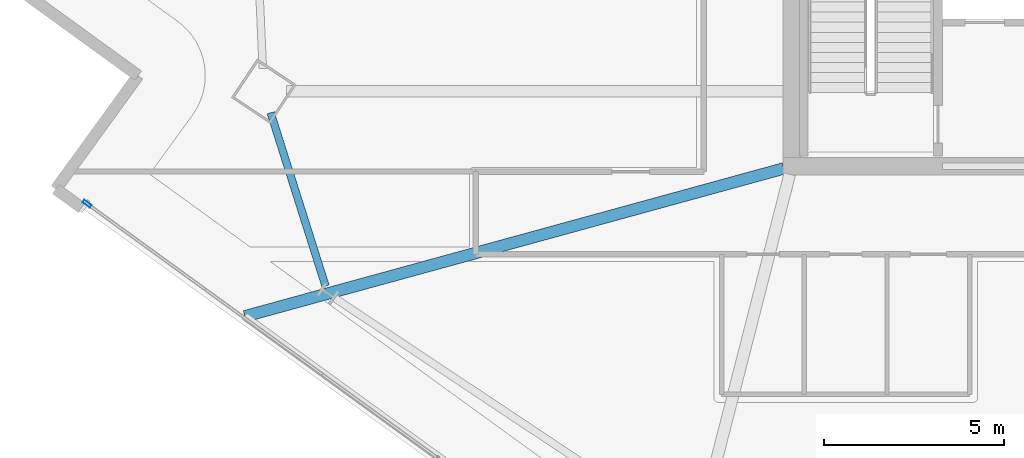
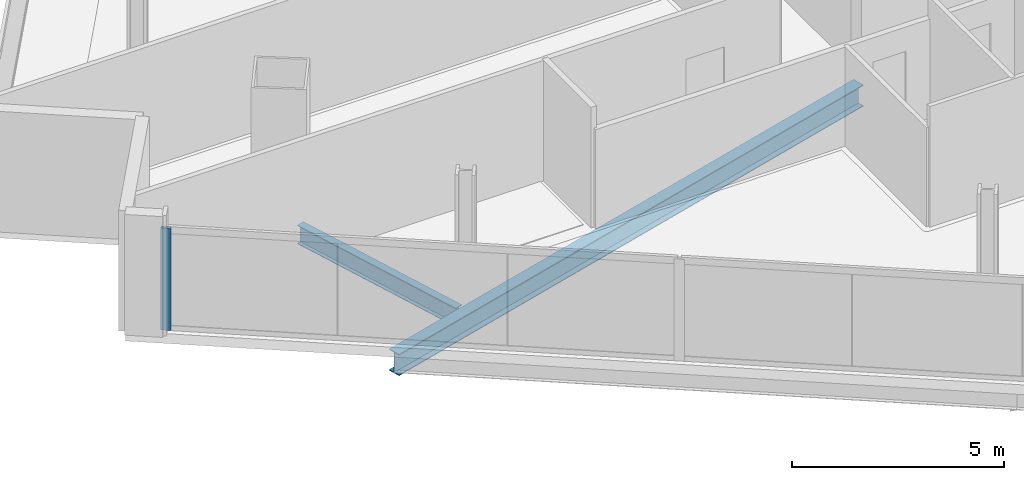
# One storey, part 5 of 29: 2 beams, 1 member, 1 element without a shape of its own.
"""IFC4 building model written with IfcOpenShell, lengths in metres."""

from ifc_helpers import new_model, si_unit, direction, frame, origin, origin_2d, place, context, subcontext, project, spatial, hollow_rectangle, i_section, extrude, material, material_profile, profile_set, type_object, element, aggregate, save


model = new_model("IFC4")

# Units and contexts
model_context = context("Model", 3, precision=1e-05, world=origin(), true_north=direction((0.0, 1.0)))
body_context = subcontext(model_context, "Body", "Model", "MODEL_VIEW")
ifc_project = project(units=[si_unit("LENGTHUNIT", "METRE"), si_unit("AREAUNIT", "SQUARE_METRE"), si_unit("VOLUMEUNIT", "CUBIC_METRE"), si_unit("PLANEANGLEUNIT", "RADIAN"), si_unit("MASSUNIT", "GRAM", prefix="KILO")], contexts=[model_context])

# Site, building, storey
site_placement = place(None, origin())
site = spatial("IfcSite", under=ifc_project, at=site_placement, CompositionType="ELEMENT")
building_placement = place(site_placement, origin())
building = spatial("IfcBuilding", under=site, at=building_placement, Name="Haldenkirk Collegiate Tower", CompositionType="ELEMENT")
storey_placement = place(building_placement, frame((0.0, 0.0, 209.699951171875)))
storey = spatial("IfcBuildingStorey", under=building, at=storey_placement, Name="L52", CompositionType="ELEMENT", Elevation=209.699951171875)

# Beams
ifc_material_1 = material(Name="Steel ASTM A992 Grade 50", Category="steel")
ifc_material_profile_1 = material_profile(ifc_material_1, i_section(OverallWidth=0.324951171875, OverallDepth=0.615966796875, WebThickness=0.013916015625, FlangeThickness=0.021484375, at=origin_2d()), Name="W24X117")
ifc_profile_set_1 = profile_set([ifc_material_profile_1], Name="Steel ASTM A992 Grade 50")
beam_type_1 = type_object("IfcBeamType", Name="BM-GIRDER-W24X117", PredefinedType="BEAM", material=ifc_profile_set_1)
beam_1_placement = place(storey_placement, frame((11.77490234375, 13.822509765625, -0.587890625), z_axis=(0.964357088396, 0.264604244224, 0.0), x_axis=(-0.264604244224, 0.964357088396, 0.0)))
element("IfcBeam", 1, at=beam_1_placement, inside=storey, type_object=beam_type_1, Name="L52 primary floor girder 14", PredefinedType="BEAM", context=body_context, shape_type="SweptSolid", body=[
    extrude(i_section(OverallWidth=0.324951171875, OverallDepth=0.615966796875, WebThickness=0.013916015625, FlangeThickness=0.021484375, at=origin_2d()), origin(), (0.0, 0.0, 1.0), 15.557861328125),
])
ifc_material_profile_2 = material_profile(ifc_material_1, i_section(OverallWidth=0.2099609375, OverallDepth=0.537109375, WebThickness=0.010986328125, FlangeThickness=0.017333984375, at=origin_2d()), Name="W21X68")
ifc_profile_set_2 = profile_set([ifc_material_profile_2], Name="Steel ASTM A992 Grade 50")
beam_type_2 = type_object("IfcBeamType", Name="BM-SPANDREL-W21X68", PredefinedType="SPANDREL", material=ifc_profile_set_2)
beam_2_placement = place(storey_placement, frame((12.494873046875, 19.489013671875, -0.54833984375), z_axis=(0.301937009704, -0.95332787758, 0.0), x_axis=(0.95332787758, 0.301937009704, 0.0)))
element("IfcBeam", 2, at=beam_2_placement, inside=storey, type_object=beam_type_2, Name="L52 perimeter spandrel beam 13", PredefinedType="SPANDREL", context=body_context, shape_type="SweptSolid", body=[
    extrude(i_section(OverallWidth=0.2099609375, OverallDepth=0.537109375, WebThickness=0.010986328125, FlangeThickness=0.017333984375, at=origin_2d()), origin(), (0.0, 0.0, 1.0), 5.060791015625),
])

# Curtain wall, member
ifc_material_2 = material(Name="Anodised architectural bronze aluminium", Category="aluminium")
curtain_wall_type = type_object("IfcCurtainWallType", Name="CW-SYS1B-CONVEX-HI", PredefinedType="USERDEFINED", material=ifc_material_2)
curtain_wall_placement = place(storey_placement, origin())
curtain_wall = element("IfcCurtainWall", 3, at=curtain_wall_placement, inside=storey, type_object=curtain_wall_type, Name="L52 Upper tower high-wind convex bronze unitised curtain wall", ObjectType="UNITISED CURTAIN WALL", PredefinedType="USERDEFINED")
ifc_material_profile_3 = material_profile(ifc_material_2, hollow_rectangle(XDim=0.0849609375, YDim=0.25, WallThickness=0.0048828125, at=origin_2d()), Name="CW-MUL-1B")
ifc_profile_set_3 = profile_set([ifc_material_profile_3], Name="Anodised architectural bronze aluminium")
member_type = type_object("IfcMemberType", Name="CW-MUL-1B", PredefinedType="MULLION", material=ifc_profile_set_3)
member_placement = place(storey_placement, frame((7.383544921875, 16.957763671875, 0.0), z_axis=(0.0, 0.0, 1.0), x_axis=(-0.587077169236, -0.809530973689, 0.0)))
member = element("IfcMember", 4, at=member_placement, type_object=member_type, Name="CW-1B mullion 4", PredefinedType="MULLION", context=body_context, shape_type="SweptSolid", body=[
    extrude(hollow_rectangle(XDim=0.0849609375, YDim=0.25, WallThickness=0.0048828125, at=origin_2d()), origin(), (0.0, 0.0, 1.0), 2.927978515625),
])
aggregate(curtain_wall, [member])

save(model, "model.ifc")
